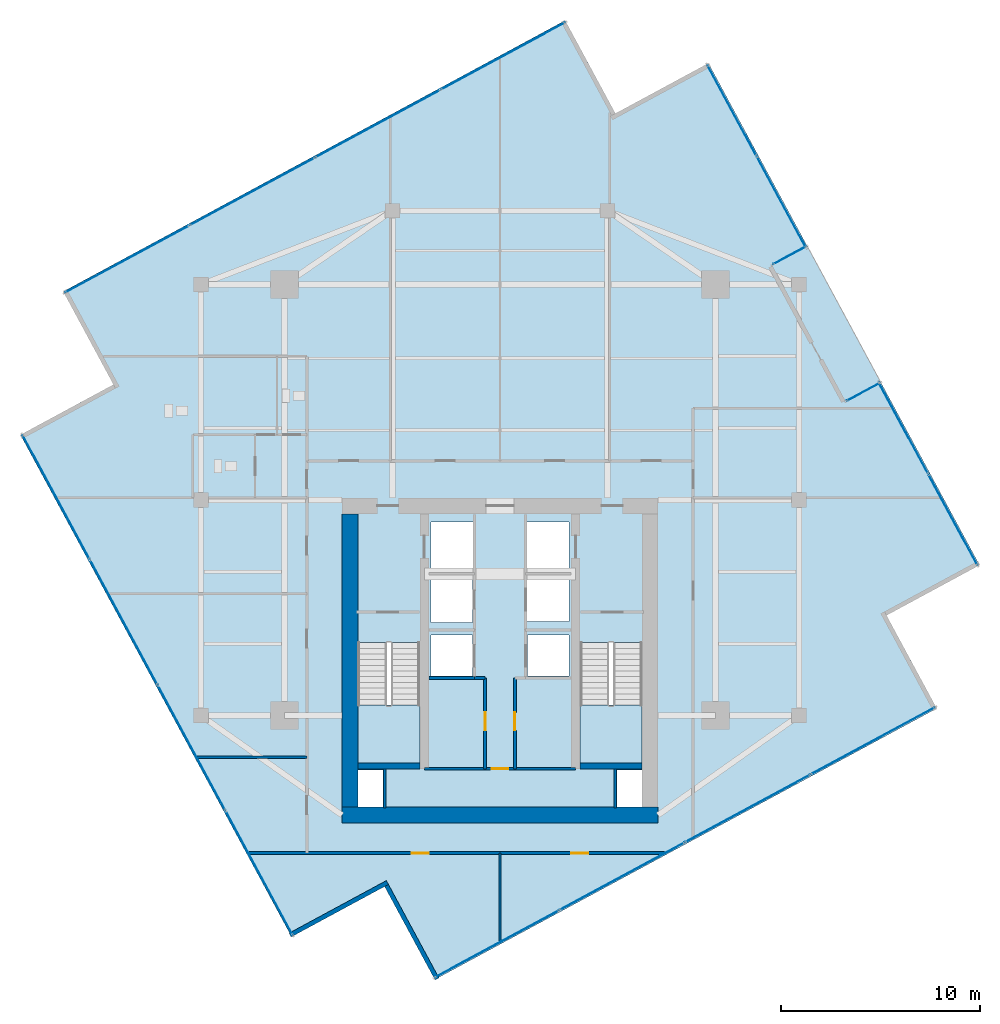
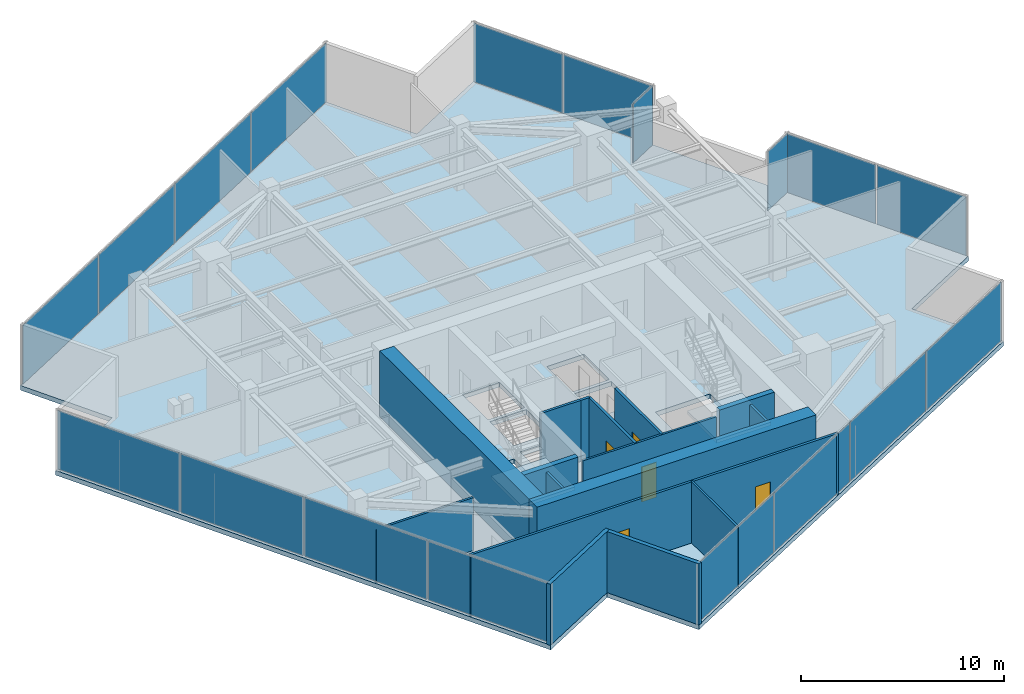
# One storey, part 18 of 22: 18 plates, 16 walls, 5 doors, 3 slabs, 5 openings, 9 elements without a shape of their own.
"""IFC4 building model written with IfcOpenShell, lengths in metres."""

import ifcopenshell
import ifcopenshell.guid

model = None  # the IFC model being written
_history = None  # IfcOwnerHistory: only IFC2X3 demands one
_inside = {}  # id of a spatial element -> (the spatial element, [elements in it])
_under = {}  # id of a project, library or spatial element -> (it, [spatial elements below it])
_declared = {}  # id of a project -> (the project, [libraries it declares])
_typed = {}  # id of a type object -> (the type object, [elements of that type])
_made_of = {}  # id of a material, layer set ... -> (it, [elements and type objects made of it])


def new_model(schema):
    """Start an empty IFC model of exactly this schema.

    Asked for "IFC4X3", IfcOpenShell would pick the latest addendum, in which some entities
    have other attributes; the version numbers below select the first issue.
    IFC2X3 requires an IfcOwnerHistory on every rooted entity: one is made here for all.
    """
    global model, _history
    if schema == "IFC4X3":
        model = ifcopenshell.file(schema_version=(4, 3, 0, 0))
    else:
        model = ifcopenshell.file(schema=schema)
    _inside.clear()
    _under.clear()
    _declared.clear()
    _typed.clear()
    _made_of.clear()
    _history = None
    if model.schema == "IFC2X3":
        org = make("IfcOrganization", Name="unknown")
        user = make(
            "IfcPersonAndOrganization",
            ThePerson=make("IfcPerson", FamilyName="unknown"),
            TheOrganization=org,
        )
        app = make(
            "IfcApplication",
            ApplicationDeveloper=org,
            Version="unknown",
            ApplicationFullName="unknown",
            ApplicationIdentifier="unknown",
        )
        _history = make(
            "IfcOwnerHistory",
            OwningUser=user,
            OwningApplication=app,
            ChangeAction="ADDED",
            CreationDate=0,
        )
    return model


def make(cls, **values):
    """One entity of the class cls with the attributes given. An attribute that is None is left unset."""
    return model.create_entity(
        cls, **{name: value for name, value in values.items() if value is not None}
    )


def rooted(cls, **values):
    """An entity with a GlobalId (a new one), such as an element, a storey or a relation."""
    return make(cls, GlobalId=ifcopenshell.guid.new(), OwnerHistory=_history, **values)


def si_unit(unit_type, name, prefix=None):
    """IfcSIUnit, for example si_unit("LENGTHUNIT", "METRE", prefix="MILLI")."""
    return make("IfcSIUnit", UnitType=unit_type, Prefix=prefix, Name=name)


def assignment(units):
    """IfcUnitAssignment: the units of a project."""
    return None if units is None else make("IfcUnitAssignment", Units=units)


def point(xyz):
    """IfcCartesianPoint."""
    return None if xyz is None else make("IfcCartesianPoint", Coordinates=xyz)


def direction(xyz):
    """IfcDirection."""
    return None if xyz is None else make("IfcDirection", DirectionRatios=xyz)


def frame(location, z_axis=None, x_axis=None):
    """IfcAxis2Placement3D, a coordinate frame: its origin and axes. An axis left out is left unset."""
    return make(
        "IfcAxis2Placement3D",
        Location=point(location),
        Axis=direction(z_axis),
        RefDirection=direction(x_axis),
    )


def frame_2d(location, x_axis=None):
    """IfcAxis2Placement2D, a coordinate frame in the plane: its origin and x axis."""
    return make(
        "IfcAxis2Placement2D", Location=point(location), RefDirection=direction(x_axis)
    )


def origin():
    """The frame at (0, 0, 0) with its axes left unset."""
    return frame((0.0, 0.0, 0.0))


def origin_2d():
    """The frame at (0, 0) in the plane with its x axis left unset."""
    return frame_2d((0.0, 0.0))


def place(relative_to, where):
    """IfcLocalPlacement: puts the frame where relative to a parent placement (None: the world)."""
    return make(
        "IfcLocalPlacement", PlacementRelTo=relative_to, RelativePlacement=where
    )


def context(
    kind, dimensions, precision=None, world=None, true_north=None, identifier=None
):
    """IfcGeometricRepresentationContext, for example the 3D "Model" context."""
    return make(
        "IfcGeometricRepresentationContext",
        ContextIdentifier=identifier,
        ContextType=kind,
        CoordinateSpaceDimension=dimensions,
        Precision=precision,
        WorldCoordinateSystem=world,
        TrueNorth=true_north,
    )


def subcontext(parent, identifier, kind, view, scale=None):
    """IfcGeometricRepresentationSubContext, for example "Body" below "Model"."""
    return make(
        "IfcGeometricRepresentationSubContext",
        ContextIdentifier=identifier,
        ContextType=kind,
        ParentContext=parent,
        TargetScale=scale,
        TargetView=view,
    )


def project(units=None, contexts=None):
    """IfcProject with its units and contexts."""
    return rooted(
        "IfcProject",
        Name="project",
        RepresentationContexts=contexts,
        UnitsInContext=assignment(units),
    )


def spatial(cls, under=None, at=None, **own):
    """A site, building, storey or space (cls), placed at a placement, below another one or the project."""
    s = rooted(cls, ObjectPlacement=at, **own)
    if under is not None:
        _under.setdefault(under.id(), (under, []))[1].append(s)
    return s


def polyline(points):
    """IfcPolyline through the points."""
    return make("IfcPolyline", Points=[point(p) for p in points])


def profile(cls, at=None, kind="AREA", **sizes):
    """A parametric profile (cls). Its sizes go by their IFC names, for example OverallWidth=200.0."""
    return make(cls, ProfileType=kind, Position=at, **sizes)


def rectangle(**sizes):
    """IfcRectangleProfileDef."""
    return profile("IfcRectangleProfileDef", **sizes)


def outline(outer, holes=None, kind="AREA"):
    """IfcArbitraryClosedProfileDef: a profile drawn as a closed curve; with holes, ...WithVoids."""
    if holes is None:
        return make("IfcArbitraryClosedProfileDef", ProfileType=kind, OuterCurve=outer)
    return make(
        "IfcArbitraryProfileDefWithVoids",
        ProfileType=kind,
        OuterCurve=outer,
        InnerCurves=holes,
    )


def extrude(swept, where, along, depth):
    """IfcExtrudedAreaSolid: the profile swept, set in the frame where, extruded along a direction by depth."""
    return make(
        "IfcExtrudedAreaSolid",
        SweptArea=swept,
        Position=where,
        ExtrudedDirection=direction(along),
        Depth=depth,
    )


def shape(context_of_items, identifier, shape_type, items):
    """IfcShapeRepresentation: the items that make up one representation, for example the "Body"."""
    return make(
        "IfcShapeRepresentation",
        ContextOfItems=context_of_items,
        RepresentationIdentifier=identifier,
        RepresentationType=shape_type,
        Items=items,
    )


def source(mapping_origin, context_of_items, identifier, shape_type, items):
    """IfcRepresentationMap: a shape defined once, which mapped items show again and again."""
    return make(
        "IfcRepresentationMap",
        MappingOrigin=mapping_origin,
        MappedRepresentation=shape(context_of_items, identifier, shape_type, items),
    )


def transform(
    local_origin,
    x_axis=None,
    y_axis=None,
    z_axis=None,
    scale=None,
    scale2=None,
    scale3=None,
    uniform=True,
):
    """IfcCartesianTransformationOperator3D, or its non-uniform kind. x_axis, y_axis, z_axis: its Axis1, 2, 3."""
    if uniform:
        return make(
            "IfcCartesianTransformationOperator3D",
            Axis1=direction(x_axis),
            Axis2=direction(y_axis),
            LocalOrigin=point(local_origin),
            Scale=scale,
            Axis3=direction(z_axis),
        )
    return make(
        "IfcCartesianTransformationOperator3DnonUniform",
        Axis1=direction(x_axis),
        Axis2=direction(y_axis),
        LocalOrigin=point(local_origin),
        Scale=scale,
        Axis3=direction(z_axis),
        Scale2=scale2,
        Scale3=scale3,
    )


def mapped(mapping_source, mapping_target):
    """IfcMappedItem: shows the shape of a source again, moved by a transform."""
    return make(
        "IfcMappedItem", MappingSource=mapping_source, MappingTarget=mapping_target
    )


def material(Name=None, Category=None):
    """IfcMaterial."""
    return make("IfcMaterial", Name=Name, Category=Category)


def layer(
    of_material, thickness, ventilated=None, Name=None, Category=None, Priority=None
):
    """IfcMaterialLayer: one layer of a wall or slab, of a material (None: an air gap)."""
    return make(
        "IfcMaterialLayer",
        Material=of_material,
        LayerThickness=thickness,
        IsVentilated=ventilated,
        Name=Name,
        Category=Category,
        Priority=Priority,
    )


def layer_set(layers, Name=None):
    """IfcMaterialLayerSet."""
    return make("IfcMaterialLayerSet", MaterialLayers=layers, LayerSetName=Name)


def made_of(thing, what):
    """Note that an element or type object is made of a material, layer set ...; save() writes the relation."""
    if what is not None:
        _made_of.setdefault(what.id(), (what, []))[1].append(thing)
    return thing


def type_object(cls, material=None, **own):
    """A type object (cls), such as IfcWallType, which elements share."""
    return made_of(rooted(cls, **own), material)


def type_shapes(of_type, sources):
    """Give a type object the sources (RepresentationMaps) that its elements show as mapped items."""
    of_type.RepresentationMaps = sources


def element(
    cls,
    number,
    at=None,
    inside=None,
    cuts=None,
    type_object=None,
    material=None,
    context=None,
    identifier="Body",
    shape_type=None,
    held_by="IfcProductDefinitionShape",
    body=None,
    shapes=None,
    **own,
):
    """One element of the class cls, such as IfcWall. Its Tag is "e" and its number.

    at: its placement. inside: the storey or other place that contains it. cuts: it is an
    opening in that element (IfcRelVoidsElement). A single representation is given by context,
    identifier, shape_type and body (its items); several are given by shapes. held_by: the class
    of the entity that holds the representations. save() writes the other relations.
    """
    e = rooted(cls, Tag="e%d" % number, ObjectPlacement=at, **own)
    if body is not None:
        shapes = [shape(context, identifier, shape_type, body)]
    if shapes is not None:
        e.Representation = make(held_by, Representations=shapes)
    if inside is not None:
        _inside.setdefault(inside.id(), (inside, []))[1].append(e)
    if cuts is not None:
        rooted(
            "IfcRelVoidsElement", RelatingBuildingElement=cuts, RelatedOpeningElement=e
        )
    if type_object is not None:
        _typed.setdefault(type_object.id(), (type_object, []))[1].append(e)
    return made_of(e, material)


def fill(opening, filler):
    """IfcRelFillsElement: the door or window that sits in an opening."""
    return rooted(
        "IfcRelFillsElement",
        RelatingOpeningElement=opening,
        RelatedBuildingElement=filler,
    )


def aggregate(whole, parts):
    """IfcRelAggregates: a whole, such as a stair, and the parts it consists of."""
    return rooted("IfcRelAggregates", RelatingObject=whole, RelatedObjects=parts)


def save(model, path):
    """Write the relations noted so far, then the file.

    IfcRelAggregates (storeys below a building ...), IfcRelContainedInSpatialStructure (elements
    in a storey), IfcRelDefinesByType, IfcRelAssociatesMaterial and IfcRelDeclares: one each for
    every whole, place, type object, material and project.
    """
    for whole, parts in _under.values():
        aggregate(whole, parts)
    for where, things in _inside.values():
        rooted(
            "IfcRelContainedInSpatialStructure",
            RelatedElements=things,
            RelatingStructure=where,
        )
    for kind, things in _typed.values():
        rooted("IfcRelDefinesByType", RelatedObjects=things, RelatingType=kind)
    for what, things in _made_of.values():
        rooted("IfcRelAssociatesMaterial", RelatedObjects=things, RelatingMaterial=what)
    for by, libraries in _declared.values():
        rooted("IfcRelDeclares", RelatingContext=by, RelatedDefinitions=libraries)
    model.write(path)


model = new_model("IFC4")

# Units and contexts
model_context = context("Model", 3, precision=1e-05, world=origin(), true_north=direction((0.0, 1.0)))
body_context = subcontext(model_context, "Body", "Model", "MODEL_VIEW")
ifc_project = project(units=[si_unit("LENGTHUNIT", "METRE"), si_unit("AREAUNIT", "SQUARE_METRE"), si_unit("VOLUMEUNIT", "CUBIC_METRE"), si_unit("PLANEANGLEUNIT", "RADIAN"), si_unit("MASSUNIT", "GRAM", prefix="KILO")], contexts=[model_context])

# Site, building, storey
site_placement = place(None, origin())
site = spatial("IfcSite", under=ifc_project, at=site_placement, CompositionType="ELEMENT")
building_placement = place(site_placement, origin())
building = spatial("IfcBuilding", under=site, at=building_placement, Name="Krantzveldt Concourse Tower", CompositionType="ELEMENT")
storey_placement = place(building_placement, frame((0.0, 0.0, 306.89990234375)))
storey = spatial("IfcBuildingStorey", under=building, at=storey_placement, Name="L75", CompositionType="ELEMENT", Elevation=306.89990234375)

# Stair, slab
ifc_material_1 = material(Name="Precast concrete C40/50", Category="concrete")
stair_type = type_object("IfcStairType", Name="STR-CORE-DOGLEG", PredefinedType="HALF_TURN_STAIR", material=ifc_material_1)
stair_1_placement = place(storey_placement, origin())
stair_1 = element("IfcStair", 1, at=stair_1_placement, inside=storey, type_object=stair_type, Name="L75 Protected Escape Stair ST-1", PredefinedType="HALF_TURN_STAIR")
ifc_layer_1 = layer(ifc_material_1, 0.199951171875, Name="Precast concrete C40/50", Category="concrete")
ifc_layer_set_1 = layer_set([ifc_layer_1], Name="Precast concrete C40/50 (SL-LANDING-200)")
slab_type_1 = type_object("IfcSlabType", Name="SL-LANDING-200", PredefinedType="LANDING", material=ifc_layer_set_1)
slab_1_placement = place(storey_placement, frame((0.0, 0.0, 1.775146484375)))
slab_1 = element("IfcSlab", 2, at=slab_1_placement, type_object=slab_type_1, Name="ST-1 landing 1", PredefinedType="LANDING", context=body_context, shape_type="SweptSolid", body=[
    extrude(outline(polyline([(28.8798828125, 16.4150390625), (28.8798828125, 13.52001953125), (31.97998046875, 13.52001953125), (31.97998046875, 16.4150390625), (28.8798828125, 16.4150390625)])), origin(), (0.0, 0.0, 1.0), 0.199951171875),
])
aggregate(stair_1, [slab_1])

stair_2_placement = place(storey_placement, origin())
stair_2 = element("IfcStair", 3, at=stair_2_placement, inside=storey, type_object=stair_type, Name="L75 Protected Escape Stair ST-2", PredefinedType="HALF_TURN_STAIR")
slab_2_placement = place(storey_placement, frame((0.0, 0.0, 1.775146484375)))
slab_2 = element("IfcSlab", 4, at=slab_2_placement, type_object=slab_type_1, Name="ST-2 landing 1", PredefinedType="LANDING", context=body_context, shape_type="SweptSolid", body=[
    extrude(outline(polyline([(40.02001953125, 16.4150390625), (40.02001953125, 13.52001953125), (43.1201171875, 13.52001953125), (43.1201171875, 16.4150390625), (40.02001953125, 16.4150390625)])), origin(), (0.0, 0.0, 1.0), 0.199951171875),
])
aggregate(stair_2, [slab_2])

# Slab
ifc_material_2 = material(Name="Concrete C40/50", Category="concrete")
ifc_layer_2 = layer(ifc_material_2, 0.280029296875, Name="Concrete C40/50", Category="concrete")
ifc_layer_set_2 = layer_set([ifc_layer_2], Name="Concrete C40/50 (SL-SL-TER280)")
slab_type_2 = type_object("IfcSlabType", Name="SL-SL-TER280", PredefinedType="FLOOR", material=ifc_layer_set_2)
slab_3_placement = place(storey_placement, frame((0.0, 0.0, -0.27978515625)))
element("IfcSlab", 5, at=slab_3_placement, inside=storey, type_object=slab_type_2, Name="SL-L75-MAIN", PredefinedType="FLOOR", context=body_context, shape_type="SweptSolid", body=[
    extrude(outline(polyline([(41.785888671875, 46.077880859375), (39.267333984375, 50.7412109375), (14.103271484375, 37.149169921875), (16.6220703125, 32.486083984375), (11.958984375, 29.96728515625), (25.55078125, 4.803466796875), (30.214111328125, 7.322021484375), (32.732666015625, 2.658935546875), (57.896728515625, 16.250732421875), (55.3779296875, 20.9140625), (60.041015625, 23.432861328125), (46.44921875, 48.5966796875), (41.785888671875, 46.077880859375)]), holes=[polyline([(28.8798828125, 19.547607421875), (28.8798828125, 13.52001953125), (31.97998046875, 13.52001953125), (31.97998046875, 19.547607421875), (28.8798828125, 19.547607421875)]), polyline([(40.02001953125, 19.547607421875), (40.02001953125, 13.52001953125), (43.1201171875, 13.52001953125), (43.1201171875, 19.547607421875), (40.02001953125, 19.547607421875)]), polyline([(32.550048828125, 23.10009765625), (34.64990234375, 23.10009765625), (34.64990234375, 25.60009765625), (32.550048828125, 25.60009765625), (32.550048828125, 23.10009765625)]), polyline([(37.35009765625, 23.10009765625), (39.449951171875, 23.10009765625), (39.449951171875, 25.60009765625), (37.35009765625, 25.60009765625), (37.35009765625, 23.10009765625)]), polyline([(37.35009765625, 20.60009765625), (39.449951171875, 20.60009765625), (39.449951171875, 22.89990234375), (37.35009765625, 22.89990234375), (37.35009765625, 20.60009765625)]), polyline([(32.550048828125, 20.550048828125), (34.6201171875, 20.550048828125), (34.6201171875, 22.89990234375), (32.550048828125, 22.89990234375), (32.550048828125, 20.550048828125)]), polyline([(32.550048828125, 17.8798828125), (34.6201171875, 17.8798828125), (34.6201171875, 19.919921875), (32.550048828125, 19.919921875), (32.550048828125, 17.8798828125)]), polyline([(37.3798828125, 17.8798828125), (39.449951171875, 17.8798828125), (39.449951171875, 19.919921875), (37.3798828125, 19.919921875), (37.3798828125, 17.8798828125)]), polyline([(28.8798828125, 11.320068359375), (30.139892578125, 11.320068359375), (30.139892578125, 13.159912109375), (28.8798828125, 13.159912109375), (28.8798828125, 11.320068359375)]), polyline([(41.860107421875, 11.320068359375), (43.1201171875, 11.320068359375), (43.1201171875, 13.159912109375), (41.860107421875, 13.159912109375), (41.860107421875, 11.320068359375)])]), origin(), (0.0, 0.0, 1.0), 0.27978515625),
])

# Curtain wall, plate
ifc_material_3 = material(Name="Anodised aluminium 6063-T6", Category="aluminium")
curtain_wall_type_1 = type_object("IfcCurtainWallType", Name="CW6", PredefinedType="USERDEFINED", material=ifc_material_3)
curtain_wall_1_placement = place(storey_placement, origin())
curtain_wall_1 = element("IfcCurtainWall", 6, at=curtain_wall_1_placement, inside=storey, type_object=curtain_wall_type_1, Name="CW-L75-TR11", ObjectType="UNITISED CURTAIN WALL", PredefinedType="USERDEFINED")
ifc_material_4 = material(Name="Bronze-tinted laminated low-E IGU glass", Category="glass")
ifc_layer_3 = layer(ifc_material_4, 0.031982421875, Name="Bronze-tinted laminated low-E IGU glass", Category="glass")
ifc_layer_set_3 = layer_set([ifc_layer_3], Name="Bronze-tinted laminated low-E IGU glass (CW-GLZ-32)")
plate_type = type_object("IfcPlateType", Name="CW-GLZ-32", PredefinedType="CURTAIN_PANEL", material=ifc_layer_set_3)
shared_shape_1 = source(origin(), body_context, "Body", "SweptSolid", [
    extrude(rectangle(XDim=1.860107421875, YDim=0.031982421875, at=origin_2d()), origin(), (0.0, 0.0, 1.0), 3.530029296875),
])
plate_1_placement = place(storey_placement, frame((54.214111328125, 32.116943359375, 0.0703125), z_axis=(0.0, 0.0, 1.0), x_axis=(-0.879855933255, -0.475240504079, 0.0)))
plate_1 = element("IfcPlate", 7, at=plate_1_placement, type_object=plate_type, Name="CW-TERR panel 1.1", PredefinedType="CURTAIN_PANEL", context=body_context, shape_type="MappedRepresentation", body=[
    mapped(shared_shape_1, transform((0.0, 0.0, 0.0), x_axis=(1.0, 0.0, 0.0), y_axis=(0.0, 1.0, 0.0), z_axis=(0.0, 0.0, 1.0), scale=1.0)),
])
aggregate(curtain_wall_1, [plate_1])

curtain_wall_2_placement = place(storey_placement, origin())
curtain_wall_2 = element("IfcCurtainWall", 8, at=curtain_wall_2_placement, inside=storey, type_object=curtain_wall_type_1, Name="CW-L75-TR13", ObjectType="UNITISED CURTAIN WALL", PredefinedType="USERDEFINED")
plate_2_placement = place(storey_placement, frame((50.5166015625, 38.962158203125, 0.0703125), z_axis=(0.0, 0.0, 1.0), x_axis=(0.879855933255, 0.475240504079, 0.0)))
plate_2 = element("IfcPlate", 9, at=plate_2_placement, type_object=plate_type, Name="CW-TERR panel 1.1", PredefinedType="CURTAIN_PANEL", context=body_context, shape_type="MappedRepresentation", body=[
    mapped(shared_shape_1, transform((0.0, 0.0, 0.0), x_axis=(1.0, 0.0, 0.0), y_axis=(0.0, 1.0, 0.0), z_axis=(0.0, 0.0, 1.0), scale=1.0)),
])
aggregate(curtain_wall_2, [plate_2])

# Curtain wall, plates
curtain_wall_type_2 = type_object("IfcCurtainWallType", Name="CW4", PredefinedType="USERDEFINED", material=ifc_material_3)
curtain_wall_3_placement = place(storey_placement, origin())
curtain_wall_3 = element("IfcCurtainWall", 10, at=curtain_wall_3_placement, inside=storey, type_object=curtain_wall_type_2, Name="CW-L75-F01", ObjectType="UNITISED CURTAIN WALL", PredefinedType="USERDEFINED")
shared_shape_2 = source(origin(), body_context, "Body", "SweptSolid", [
    extrude(rectangle(XDim=7.044921875, YDim=0.031982421875, at=origin_2d()), origin(), (0.0, 0.0, 1.0), 3.530029296875),
])
plate_3_placement = place(storey_placement, frame((36.149169921875, 48.95458984375, 0.0703125), z_axis=(0.0, 0.0, 1.0), x_axis=(-0.87985605875, -0.475240271736, 0.0)))
plate_3 = element("IfcPlate", 11, at=plate_3_placement, type_object=plate_type, Name="CW-Z56 panel 1.1", PredefinedType="CURTAIN_PANEL", context=body_context, shape_type="MappedRepresentation", body=[
    mapped(shared_shape_2, transform((0.0, 0.0, 0.0), x_axis=(1.0, 0.0, 0.0), y_axis=(0.0, 1.0, 0.0), z_axis=(0.0, 0.0, 1.0), scale=1.0)),
])
plate_4_placement = place(storey_placement, frame((17.306884765625, 38.77734375, 0.0703125), z_axis=(0.0, 0.0, 1.0), x_axis=(-0.87985605875, -0.475240271736, 0.0)))
plate_4 = element("IfcPlate", 12, at=plate_4_placement, type_object=plate_type, Name="CW-Z56 panel 4.1", PredefinedType="CURTAIN_PANEL", context=body_context, shape_type="MappedRepresentation", body=[
    mapped(shared_shape_2, transform((0.0, 0.0, 0.0), x_axis=(1.0, 0.0, 0.0), y_axis=(0.0, 1.0, 0.0), z_axis=(0.0, 0.0, 1.0), scale=1.0)),
])

curtain_wall_4_placement = place(storey_placement, origin())
curtain_wall_4 = element("IfcCurtainWall", 13, at=curtain_wall_4_placement, inside=storey, type_object=curtain_wall_type_2, Name="CW-L75-F04", ObjectType="UNITISED CURTAIN WALL", PredefinedType="USERDEFINED")
plate_5_placement = place(storey_placement, frame((13.745361328125, 26.84912109375, 0.0703125), z_axis=(0.0, 0.0, 1.0), x_axis=(0.475240271736, -0.87985605875, 0.0)))
plate_5 = element("IfcPlate", 14, at=plate_5_placement, type_object=plate_type, Name="CW-Z56 panel 1.1", PredefinedType="CURTAIN_PANEL", context=body_context, shape_type="MappedRepresentation", body=[
    mapped(shared_shape_2, transform((0.0, 0.0, 0.0), x_axis=(1.0, 0.0, 0.0), y_axis=(0.0, 1.0, 0.0), z_axis=(0.0, 0.0, 1.0), scale=1.0)),
])
plate_6_placement = place(storey_placement, frame((23.922607421875, 8.007080078125, 0.0703125), z_axis=(0.0, 0.0, 1.0), x_axis=(0.475240271736, -0.87985605875, 0.0)))
plate_6 = element("IfcPlate", 15, at=plate_6_placement, type_object=plate_type, Name="CW-Z56 panel 4.1", PredefinedType="CURTAIN_PANEL", context=body_context, shape_type="MappedRepresentation", body=[
    mapped(shared_shape_2, transform((0.0, 0.0, 0.0), x_axis=(1.0, 0.0, 0.0), y_axis=(0.0, 1.0, 0.0), z_axis=(0.0, 0.0, 1.0), scale=1.0)),
])

curtain_wall_5_placement = place(storey_placement, origin())
curtain_wall_5 = element("IfcCurtainWall", 16, at=curtain_wall_5_placement, inside=storey, type_object=curtain_wall_type_2, Name="CW-L75-F07", ObjectType="UNITISED CURTAIN WALL", PredefinedType="USERDEFINED")
plate_7_placement = place(storey_placement, frame((35.850830078125, 4.4453125, 0.0703125), z_axis=(0.0, 0.0, 1.0), x_axis=(0.87985605875, 0.475240271736, 0.0)))
plate_7 = element("IfcPlate", 17, at=plate_7_placement, type_object=plate_type, Name="CW-Z56 panel 1.1", PredefinedType="CURTAIN_PANEL", context=body_context, shape_type="MappedRepresentation", body=[
    mapped(shared_shape_2, transform((0.0, 0.0, 0.0), x_axis=(1.0, 0.0, 0.0), y_axis=(0.0, 1.0, 0.0), z_axis=(0.0, 0.0, 1.0), scale=1.0)),
])
plate_8_placement = place(storey_placement, frame((54.693115234375, 14.62255859375, 0.0703125), z_axis=(0.0, 0.0, 1.0), x_axis=(0.87985605875, 0.475240271736, 0.0)))
plate_8 = element("IfcPlate", 18, at=plate_8_placement, type_object=plate_type, Name="CW-Z56 panel 4.1", PredefinedType="CURTAIN_PANEL", context=body_context, shape_type="MappedRepresentation", body=[
    mapped(shared_shape_2, transform((0.0, 0.0, 0.0), x_axis=(1.0, 0.0, 0.0), y_axis=(0.0, 1.0, 0.0), z_axis=(0.0, 0.0, 1.0), scale=1.0)),
])

# Plate
shared_shape_3 = source(origin(), body_context, "Body", "SweptSolid", [
    extrude(rectangle(XDim=7.080078125, YDim=0.031982421875, at=origin_2d()), origin(), (0.0, 0.0, 1.0), 3.530029296875),
])
plate_9_placement = place(storey_placement, frame((29.87353515625, 45.56494140625, 0.0703125), z_axis=(0.0, 0.0, 1.0), x_axis=(-0.87985605875, -0.475240271736, 0.0)))
plate_9 = element("IfcPlate", 19, at=plate_9_placement, type_object=plate_type, Name="CW-Z56 panel 2.1", PredefinedType="CURTAIN_PANEL", context=body_context, shape_type="MappedRepresentation", body=[
    mapped(shared_shape_3, transform((0.0, 0.0, 0.0), x_axis=(1.0, 0.0, 0.0), y_axis=(0.0, 1.0, 0.0), z_axis=(0.0, 0.0, 1.0), scale=1.0)),
])

plate_10_placement = place(storey_placement, frame((23.58251953125, 42.1669921875, 0.0703125), z_axis=(0.0, 0.0, 1.0), x_axis=(-0.87985605875, -0.475240271736, 0.0)))
plate_10 = element("IfcPlate", 20, at=plate_10_placement, type_object=plate_type, Name="CW-Z56 panel 3.1", PredefinedType="CURTAIN_PANEL", context=body_context, shape_type="MappedRepresentation", body=[
    mapped(shared_shape_3, transform((0.0, 0.0, 0.0), x_axis=(1.0, 0.0, 0.0), y_axis=(0.0, 1.0, 0.0), z_axis=(0.0, 0.0, 1.0), scale=1.0)),
])

aggregate(curtain_wall_3, [plate_3, plate_9, plate_10, plate_4])

plate_11_placement = place(storey_placement, frame((17.135009765625, 20.573486328125, 0.0703125), z_axis=(0.0, 0.0, 1.0), x_axis=(0.475240271736, -0.87985605875, 0.0)))
plate_11 = element("IfcPlate", 21, at=plate_11_placement, type_object=plate_type, Name="CW-Z56 panel 2.1", PredefinedType="CURTAIN_PANEL", context=body_context, shape_type="MappedRepresentation", body=[
    mapped(shared_shape_3, transform((0.0, 0.0, 0.0), x_axis=(1.0, 0.0, 0.0), y_axis=(0.0, 1.0, 0.0), z_axis=(0.0, 0.0, 1.0), scale=1.0)),
])

plate_12_placement = place(storey_placement, frame((20.532958984375, 14.282470703125, 0.0703125), z_axis=(0.0, 0.0, 1.0), x_axis=(0.475240271736, -0.87985605875, 0.0)))
plate_12 = element("IfcPlate", 22, at=plate_12_placement, type_object=plate_type, Name="CW-Z56 panel 3.1", PredefinedType="CURTAIN_PANEL", context=body_context, shape_type="MappedRepresentation", body=[
    mapped(shared_shape_3, transform((0.0, 0.0, 0.0), x_axis=(1.0, 0.0, 0.0), y_axis=(0.0, 1.0, 0.0), z_axis=(0.0, 0.0, 1.0), scale=1.0)),
])

aggregate(curtain_wall_4, [plate_5, plate_11, plate_12, plate_6])

plate_13_placement = place(storey_placement, frame((42.12646484375, 7.8349609375, 0.0703125), z_axis=(0.0, 0.0, 1.0), x_axis=(0.87985605875, 0.475240271736, 0.0)))
plate_13 = element("IfcPlate", 23, at=plate_13_placement, type_object=plate_type, Name="CW-Z56 panel 2.1", PredefinedType="CURTAIN_PANEL", context=body_context, shape_type="MappedRepresentation", body=[
    mapped(shared_shape_3, transform((0.0, 0.0, 0.0), x_axis=(1.0, 0.0, 0.0), y_axis=(0.0, 1.0, 0.0), z_axis=(0.0, 0.0, 1.0), scale=1.0)),
])

plate_14_placement = place(storey_placement, frame((48.41748046875, 11.23291015625, 0.0703125), z_axis=(0.0, 0.0, 1.0), x_axis=(0.87985605875, 0.475240271736, 0.0)))
plate_14 = element("IfcPlate", 24, at=plate_14_placement, type_object=plate_type, Name="CW-Z56 panel 3.1", PredefinedType="CURTAIN_PANEL", context=body_context, shape_type="MappedRepresentation", body=[
    mapped(shared_shape_3, transform((0.0, 0.0, 0.0), x_axis=(1.0, 0.0, 0.0), y_axis=(0.0, 1.0, 0.0), z_axis=(0.0, 0.0, 1.0), scale=1.0)),
])

aggregate(curtain_wall_5, [plate_7, plate_13, plate_14, plate_8])

# Curtain wall, plates
curtain_wall_6_placement = place(storey_placement, origin())
curtain_wall_6 = element("IfcCurtainWall", 25, at=curtain_wall_6_placement, inside=storey, type_object=curtain_wall_type_2, Name="CW-L75-F10", ObjectType="UNITISED CURTAIN WALL", PredefinedType="USERDEFINED")
shared_shape_4 = source(origin(), body_context, "Body", "SweptSolid", [
    extrude(rectangle(XDim=5.14501953125, YDim=0.031982421875, at=origin_2d()), origin(), (0.0, 0.0, 1.0), 3.530029296875),
])
type_shapes(plate_type, [shared_shape_1, shared_shape_2, shared_shape_3, shared_shape_4])
plate_15_placement = place(storey_placement, frame((58.7060546875, 25.715087890625, 0.0703125), z_axis=(0.0, 0.0, 1.0), x_axis=(-0.475240006286, 0.879856202129, 0.0)))
plate_15 = element("IfcPlate", 26, at=plate_15_placement, type_object=plate_type, Name="CW-Z56 panel 1.1", PredefinedType="CURTAIN_PANEL", context=body_context, shape_type="MappedRepresentation", body=[
    mapped(shared_shape_4, transform((0.0, 0.0, 0.0), x_axis=(1.0, 0.0, 0.0), y_axis=(0.0, 1.0, 0.0), z_axis=(0.0, 0.0, 1.0), scale=1.0)),
])
plate_16_placement = place(storey_placement, frame((56.227783203125, 30.303466796875, 0.0703125), z_axis=(0.0, 0.0, 1.0), x_axis=(-0.475240006286, 0.879856202129, 0.0)))
plate_16 = element("IfcPlate", 27, at=plate_16_placement, type_object=plate_type, Name="CW-Z56 panel 2.1", PredefinedType="CURTAIN_PANEL", context=body_context, shape_type="MappedRepresentation", body=[
    mapped(shared_shape_4, transform((0.0, 0.0, 0.0), x_axis=(1.0, 0.0, 0.0), y_axis=(0.0, 1.0, 0.0), z_axis=(0.0, 0.0, 1.0), scale=1.0)),
])
aggregate(curtain_wall_6, [plate_15, plate_16])

curtain_wall_7_placement = place(storey_placement, origin())
curtain_wall_7 = element("IfcCurtainWall", 28, at=curtain_wall_7_placement, inside=storey, type_object=curtain_wall_type_2, Name="CW-L75-F14", ObjectType="UNITISED CURTAIN WALL", PredefinedType="USERDEFINED")
plate_17_placement = place(storey_placement, frame((50.104248046875, 41.640380859375, 0.0703125), z_axis=(0.0, 0.0, 1.0), x_axis=(-0.475240006286, 0.879856202129, 0.0)))
plate_17 = element("IfcPlate", 29, at=plate_17_placement, type_object=plate_type, Name="CW-Z56 panel 1.1", PredefinedType="CURTAIN_PANEL", context=body_context, shape_type="MappedRepresentation", body=[
    mapped(shared_shape_4, transform((0.0, 0.0, 0.0), x_axis=(1.0, 0.0, 0.0), y_axis=(0.0, 1.0, 0.0), z_axis=(0.0, 0.0, 1.0), scale=1.0)),
])
plate_18_placement = place(storey_placement, frame((47.6259765625, 46.228759765625, 0.0703125), z_axis=(0.0, 0.0, 1.0), x_axis=(-0.475240006286, 0.879856202129, 0.0)))
plate_18 = element("IfcPlate", 30, at=plate_18_placement, type_object=plate_type, Name="CW-Z56 panel 2.1", PredefinedType="CURTAIN_PANEL", context=body_context, shape_type="MappedRepresentation", body=[
    mapped(shared_shape_4, transform((0.0, 0.0, 0.0), x_axis=(1.0, 0.0, 0.0), y_axis=(0.0, 1.0, 0.0), z_axis=(0.0, 0.0, 1.0), scale=1.0)),
])
aggregate(curtain_wall_7, [plate_17, plate_18])

# Walls
ifc_layer_4 = layer(ifc_material_3, 0.219970703125, Name="Anodised aluminium 6063-T6", Category="aluminium")
ifc_layer_set_4 = layer_set([ifc_layer_4], Name="Anodised aluminium 6063-T6 (WL-EXT-NOTCH220)")
wall_type_1 = type_object("IfcWallType", Name="WL-EXT-NOTCH220", PredefinedType="ELEMENTEDWALL", material=ifc_layer_set_4)
wall_1_placement = place(storey_placement, frame((25.4765625, 4.88818359375, 0.0), z_axis=(0.0, 0.0, 1.0), x_axis=(0.879846852796, 0.475257315172, 0.0)))
element("IfcWall", 31, at=wall_1_placement, inside=storey, type_object=wall_type_1, Name="EW-L75-NCH05", PredefinedType="ELEMENTEDWALL", context=body_context, shape_type="SweptSolid", body=[
    extrude(rectangle(XDim=5.544921875, YDim=0.219970703125, at=frame_2d((2.7724609375, 0.0))), origin(), (0.0, 0.0, 1.0), 3.670166015625),
])
wall_2_placement = place(storey_placement, frame((30.310791015625, 7.37451171875, 0.0), z_axis=(0.0, 0.0, 1.0), x_axis=(0.475250431035, -0.879850571291, 0.0)))
element("IfcWall", 32, at=wall_2_placement, inside=storey, type_object=wall_type_1, Name="EW-L75-NCH06", PredefinedType="ELEMENTEDWALL", context=body_context, shape_type="SweptSolid", body=[
    extrude(rectangle(XDim=5.3251953125, YDim=0.219970703125, at=frame_2d((2.66259765625, 0.0))), origin(), (0.0, 0.0, 1.0), 3.670166015625),
])

# Wall, opening, door
ifc_material_5 = material(Name="Fire-rated gypsum plasterboard on steel stud", Category="steel")
ifc_layer_5 = layer(ifc_material_5, 0.1201171875, Name="Fire-rated gypsum plasterboard on steel stud", Category="steel")
ifc_layer_set_5 = layer_set([ifc_layer_5], Name="Fire-rated gypsum plasterboard on steel stud (WL-PART-120)")
wall_type_2 = type_object("IfcWallType", Name="WL-PART-120", PredefinedType="PARTITIONING", material=ifc_layer_set_5)
wall_3_placement = place(storey_placement, frame((32.2099609375, 13.219970703125, 0.0), z_axis=(0.0, 0.0, 1.0), x_axis=(1.0, 0.0, 0.0)))
wall_3 = element("IfcWall", 33, at=wall_3_placement, inside=storey, type_object=wall_type_2, Name="WP-L75-CS2H", PredefinedType="PARTITIONING", context=body_context, shape_type="SweptSolid", body=[
    extrude(rectangle(XDim=7.580078125, YDim=0.1201171875, at=frame_2d((3.7900390625, 0.0))), origin(), (0.0, 0.0, 1.0), 3.670166015625),
])
opening_1_placement = place(wall_3_placement, frame((3.364990234375, 0.0, 0.0)))
opening_1 = element("IfcOpeningElement", 34, at=opening_1_placement, cuts=wall_3, Name="Opening D-IN085", PredefinedType="OPENING", context=body_context, shape_type="SweptSolid", body=[
    extrude(rectangle(XDim=0.85009765625, YDim=2.10009765625, at=frame_2d((0.425048828125, 1.050048828125))), frame((0.0, 0.070068359375, 0.0), z_axis=(0.0, -1.0, 0.0), x_axis=(1.0, 0.0, 0.0)), (0.0, 0.0, 1.0), 0.14013671875),
])
ifc_material_6 = material(Name="Hardwood timber", Category="wood")
door_type_1 = type_object("IfcDoorType", Name="DR-INT-850", OperationType="SINGLE_SWING_LEFT", PredefinedType="DOOR", material=ifc_material_6)
door_1_placement = place(opening_1_placement, origin())
door_1 = element("IfcDoor", 35, at=door_1_placement, inside=storey, type_object=door_type_1, Name="DR-L75-CSC1", OperationType="SINGLE_SWING_RIGHT", OverallHeight=2.10009765625, OverallWidth=0.85009765625, PredefinedType="DOOR", context=body_context, shape_type="SweptSolid", body=[
    extrude(rectangle(XDim=0.85009765625, YDim=2.10009765625, at=frame_2d((0.425048828125, 1.050048828125))), frame((0.0, 0.02490234375, 0.0), z_axis=(0.0, -1.0, 0.0), x_axis=(1.0, 0.0, 0.0)), (0.0, 0.0, 1.0), 0.050048828125),
])
fill(opening_1, door_1)

# Walls
wall_4_placement = place(storey_placement, frame((20.793701171875, 13.800048828125, 0.0), z_axis=(0.0, 0.0, 1.0), x_axis=(1.0, 0.0, 0.0)))
element("IfcWall", 36, at=wall_4_placement, inside=storey, type_object=wall_type_2, Name="WP-L75-WD1", PredefinedType="PARTITIONING", context=body_context, shape_type="SweptSolid", body=[
    extrude(rectangle(XDim=5.5263671875, YDim=0.1201171875, at=frame_2d((2.76318359375, 0.0))), origin(), (0.0, 0.0, 1.0), 3.18017578125),
])
wall_5_placement = place(storey_placement, frame((36.0, 4.52587890625, 0.0), z_axis=(0.0, 0.0, 1.0), x_axis=(0.0, 1.0, 0.0)))
element("IfcWall", 37, at=wall_5_placement, inside=storey, type_object=wall_type_2, Name="WP-L75-SSMD", PredefinedType="PARTITIONING", context=body_context, shape_type="SweptSolid", body=[
    extrude(rectangle(XDim=4.47412109375, YDim=0.1201171875, at=frame_2d((2.237060546875, 0.0))), origin(), (0.0, 0.0, 1.0), 3.670166015625),
])

# Wall, openings, doors
ifc_layer_6 = layer(ifc_material_5, 0.139892578125, Name="Fire-rated gypsum plasterboard on steel stud", Category="steel")
ifc_layer_set_6 = layer_set([ifc_layer_6], Name="Fire-rated gypsum plasterboard on steel stud (WL-PART-140)")
wall_type_3 = type_object("IfcWallType", Name="WL-PART-140", PredefinedType="PARTITIONING", material=ifc_layer_set_6)
wall_6_placement = place(storey_placement, frame((23.38623046875, 9.0, 0.0), z_axis=(0.0, 0.0, 1.0), x_axis=(1.0, 0.0, 0.0)))
wall_6 = element("IfcWall", 38, at=wall_6_placement, inside=storey, type_object=wall_type_3, Name="WP-L75-CSBOT", PredefinedType="PARTITIONING", context=body_context, shape_type="SweptSolid", body=[
    extrude(rectangle(XDim=20.89697265625, YDim=0.139892578125, at=frame_2d((10.448486328125, 0.0))), origin(), (0.0, 0.0, 1.0), 3.670166015625),
])
opening_2_placement = place(wall_6_placement, frame((8.188720703125, 0.0, 0.0)))
opening_2 = element("IfcOpeningElement", 39, at=opening_2_placement, cuts=wall_6, Name="Opening D-IN085", PredefinedType="OPENING", context=body_context, shape_type="SweptSolid", body=[
    extrude(rectangle(XDim=0.85009765625, YDim=2.10009765625, at=frame_2d((0.425048828125, 1.050048828125))), frame((0.0, 0.080078125, 0.0), z_axis=(0.0, -1.0, 0.0), x_axis=(1.0, 0.0, 0.0)), (0.0, 0.0, 1.0), 0.159912109375),
])
opening_3_placement = place(wall_6_placement, frame((16.188720703125, 0.0, 0.0)))
opening_3 = element("IfcOpeningElement", 40, at=opening_3_placement, cuts=wall_6, Name="Opening D-IN085", PredefinedType="OPENING", context=body_context, shape_type="SweptSolid", body=[
    extrude(rectangle(XDim=0.85009765625, YDim=2.10009765625, at=frame_2d((0.425048828125, 1.050048828125))), frame((0.0, 0.080078125, 0.0), z_axis=(0.0, -1.0, 0.0), x_axis=(1.0, 0.0, 0.0)), (0.0, 0.0, 1.0), 0.159912109375),
])
door_2_placement = place(opening_2_placement, origin())
door_2 = element("IfcDoor", 41, at=door_2_placement, inside=storey, type_object=door_type_1, Name="DR-L75-SR1", OperationType="SINGLE_SWING_LEFT", OverallHeight=2.10009765625, OverallWidth=0.85009765625, PredefinedType="DOOR", context=body_context, shape_type="SweptSolid", body=[
    extrude(rectangle(XDim=0.85009765625, YDim=2.10009765625, at=frame_2d((0.425048828125, 1.050048828125))), frame((0.0, 0.02490234375, 0.0), z_axis=(0.0, -1.0, 0.0), x_axis=(1.0, 0.0, 0.0)), (0.0, 0.0, 1.0), 0.050048828125),
])
fill(opening_2, door_2)
door_3_placement = place(opening_3_placement, origin())
door_3 = element("IfcDoor", 42, at=door_3_placement, inside=storey, type_object=door_type_1, Name="DR-L75-SR2", OperationType="SINGLE_SWING_LEFT", OverallHeight=2.10009765625, OverallWidth=0.85009765625, PredefinedType="DOOR", context=body_context, shape_type="SweptSolid", body=[
    extrude(rectangle(XDim=0.85009765625, YDim=2.10009765625, at=frame_2d((0.425048828125, 1.050048828125))), frame((0.0, 0.02490234375, 0.0), z_axis=(0.0, -1.0, 0.0), x_axis=(1.0, 0.0, 0.0)), (0.0, 0.0, 1.0), 0.050048828125),
])
fill(opening_3, door_3)

# Wall
ifc_layer_7 = layer(ifc_material_5, 0.139892578125, Name="Fire-rated gypsum plasterboard on steel stud", Category="steel")
ifc_layer_set_7 = layer_set([ifc_layer_7], Name="Fire-rated gypsum plasterboard on steel stud (WL-PART-FR140)")
wall_type_4 = type_object("IfcWallType", Name="WL-PART-FR140", PredefinedType="PARTITIONING", material=ifc_layer_set_7)
wall_7_placement = place(storey_placement, frame((32.449951171875, 17.780029296875, 0.0), z_axis=(0.0, 0.0, 1.0), x_axis=(1.0, 0.0, 0.0)))
element("IfcWall", 43, at=wall_7_placement, inside=storey, type_object=wall_type_4, Name="WP-L75-DIVW2", PredefinedType="PARTITIONING", context=body_context, shape_type="SweptSolid", body=[
    extrude(rectangle(XDim=2.27001953125, YDim=0.139892578125, at=frame_2d((1.135009765625, 0.0))), origin(), (0.0, 0.0, 1.0), 3.670166015625),
])

# Wall, opening, door
wall_8_placement = place(storey_placement, frame((35.25, 13.219970703125, 0.0), z_axis=(0.0, 0.0, 1.0), x_axis=(0.0, 1.0, 0.0)))
wall_8 = element("IfcWall", 44, at=wall_8_placement, inside=storey, type_object=wall_type_4, Name="WP-L75-RECW", PredefinedType="PARTITIONING", context=body_context, shape_type="SweptSolid", body=[
    extrude(rectangle(XDim=4.56005859375, YDim=0.139892578125, at=frame_2d((2.280029296875, 0.0))), origin(), (0.0, 0.0, 1.0), 3.670166015625),
])
opening_4_placement = place(wall_8_placement, frame((1.929931640625, 0.0, 0.0)))
opening_4 = element("IfcOpeningElement", 45, at=opening_4_placement, cuts=wall_8, Name="Opening D-FD090", PredefinedType="OPENING", context=body_context, shape_type="SweptSolid", body=[
    extrude(rectangle(XDim=0.89990234375, YDim=2.10009765625, at=frame_2d((0.449951171875, 1.050048828125))), frame((0.0, 0.080078125, 0.0), z_axis=(0.0, -1.0, 0.0), x_axis=(1.0, 0.0, 0.0)), (0.0, 0.0, 1.0), 0.159912109375),
])
door_type_2 = type_object("IfcDoorType", Name="DR-FD60-900", OperationType="SINGLE_SWING_LEFT", PredefinedType="DOOR", material=ifc_material_6)
door_4_placement = place(opening_4_placement, origin())
door_4 = element("IfcDoor", 46, at=door_4_placement, inside=storey, type_object=door_type_2, Name="DR-L75-RECW", OperationType="SINGLE_SWING_LEFT", OverallHeight=2.10009765625, OverallWidth=0.89990234375, PredefinedType="DOOR", context=body_context, shape_type="SweptSolid", body=[
    extrude(rectangle(XDim=0.89990234375, YDim=2.10009765625, at=frame_2d((0.449951171875, 1.050048828125))), frame((0.0, 0.02490234375, 0.0), z_axis=(0.0, -1.0, 0.0), x_axis=(1.0, 0.0, 0.0)), (0.0, 0.0, 1.0), 0.050048828125),
])
fill(opening_4, door_4)

# Wall
wall_9_placement = place(storey_placement, frame((34.719970703125, 17.780029296875, 0.0), z_axis=(0.0, 0.0, 1.0), x_axis=(1.0, 0.0, 0.0)))
element("IfcWall", 47, at=wall_9_placement, inside=storey, type_object=wall_type_4, Name="WP-L75-RECWN", PredefinedType="PARTITIONING", context=body_context, shape_type="SweptSolid", body=[
    extrude(rectangle(XDim=0.530029296875, YDim=0.139892578125, at=frame_2d((0.26513671875, 0.0))), origin(), (0.0, 0.0, 1.0), 3.670166015625),
])

# Wall, opening, door
wall_10_placement = place(storey_placement, frame((36.75, 13.219970703125, 0.0), z_axis=(0.0, 0.0, 1.0), x_axis=(0.0, 1.0, 0.0)))
wall_10 = element("IfcWall", 48, at=wall_10_placement, inside=storey, type_object=wall_type_4, Name="WP-L75-RECE", PredefinedType="PARTITIONING", context=body_context, shape_type="SweptSolid", body=[
    extrude(rectangle(XDim=4.56005859375, YDim=0.139892578125, at=frame_2d((2.280029296875, 0.0))), origin(), (0.0, 0.0, 1.0), 3.670166015625),
])
opening_5_placement = place(wall_10_placement, frame((1.929931640625, 0.0, 0.0)))
opening_5 = element("IfcOpeningElement", 49, at=opening_5_placement, cuts=wall_10, Name="Opening D-FD090", PredefinedType="OPENING", context=body_context, shape_type="SweptSolid", body=[
    extrude(rectangle(XDim=0.89990234375, YDim=2.10009765625, at=frame_2d((0.449951171875, 1.050048828125))), frame((0.0, 0.080078125, 0.0), z_axis=(0.0, -1.0, 0.0), x_axis=(1.0, 0.0, 0.0)), (0.0, 0.0, 1.0), 0.159912109375),
])
door_5_placement = place(opening_5_placement, origin())
door_5 = element("IfcDoor", 50, at=door_5_placement, inside=storey, type_object=door_type_2, Name="DR-L75-RECE", OperationType="SINGLE_SWING_RIGHT", OverallHeight=2.10009765625, OverallWidth=0.89990234375, PredefinedType="DOOR", context=body_context, shape_type="SweptSolid", body=[
    extrude(rectangle(XDim=0.89990234375, YDim=2.10009765625, at=frame_2d((0.449951171875, 1.050048828125))), frame((0.0, 0.02490234375, 0.0), z_axis=(0.0, -1.0, 0.0), x_axis=(1.0, 0.0, 0.0)), (0.0, 0.0, 1.0), 0.050048828125),
])
fill(opening_5, door_5)

# Walls
for number, where, z_axis, x_axis, name in (
    (51, (30.219970703125, 11.25, 0.0), (0.0, 0.0, 1.0), (0.0, 1.0, 0.0), "WP-L75-RSW"),
    (52, (41.780029296875, 11.25, 0.0), (0.0, 0.0, 1.0), (0.0, 1.0, 0.0), "WP-L75-RSE"),
):
    element("IfcWall", number, at=place(storey_placement, frame(where, z_axis=z_axis, x_axis=x_axis)), inside=storey, type_object=wall_type_4, Name=name, PredefinedType="PARTITIONING", context=body_context, shape_type="SweptSolid", body=[
        extrude(rectangle(XDim=1.969970703125, YDim=0.1201171875, at=frame_2d((0.98486328125, 0.0))), origin(), (0.0, 0.0, 1.0), 3.670166015625),
    ])
ifc_material_7 = material(Name="Concrete C50/60", Category="concrete")
ifc_layer_8 = layer(ifc_material_7, 0.300048828125, Name="Concrete C50/60", Category="concrete")
ifc_layer_set_8 = layer_set([ifc_layer_8], Name="Concrete C50/60 (WL-SHEAR-300)")
wall_type_5 = type_object("IfcWallType", Name="WL-SHEAR-300", PredefinedType="SHEAR", material=ifc_layer_set_8)
for number, where, z_axis, x_axis, name in (
    (53, (28.8798828125, 13.3701171875, 0.0), (0.0, 0.0, 1.0), (1.0, 0.0, 0.0), "CW-L75-ST1S"),
    (54, (40.02001953125, 13.3701171875, 0.0), (0.0, 0.0, 1.0), (1.0, 0.0, 0.0), "CW-L75-ST2S"),
):
    element("IfcWall", number, at=place(storey_placement, frame(where, z_axis=z_axis, x_axis=x_axis)), inside=storey, type_object=wall_type_5, Name=name, PredefinedType="SHEAR", context=body_context, shape_type="SweptSolid", body=[
        extrude(rectangle(XDim=3.10009765625, YDim=0.300048828125, at=frame_2d((1.550048828125, 0.0))), origin(), (0.0, 0.0, 1.0), 3.9501953125),
    ])
ifc_material_8 = material(Name="Concrete C60/75", Category="concrete")
ifc_layer_9 = layer(ifc_material_8, 0.800048828125, Name="Concrete C60/75", Category="concrete")
ifc_layer_set_9 = layer_set([ifc_layer_9], Name="Concrete C60/75 (WL-SHEAR-800)")
wall_type_6 = type_object("IfcWallType", Name="WL-SHEAR-800", PredefinedType="SHEAR", material=ifc_layer_set_9)
wall_11_placement = place(storey_placement, frame((28.080078125, 10.89990234375, 0.0), z_axis=(0.0, 0.0, 1.0), x_axis=(1.0, 0.0, 0.0)))
element("IfcWall", 55, at=wall_11_placement, inside=storey, type_object=wall_type_6, Name="CW-L75-S", PredefinedType="SHEAR", context=body_context, shape_type="SweptSolid", body=[
    extrude(rectangle(XDim=15.83984375, YDim=0.800048828125, at=frame_2d((7.919921875, 0.0))), origin(), (0.0, 0.0, 1.0), 3.9501953125),
])
wall_12_placement = place(storey_placement, frame((28.47998046875, 11.300048828125, 0.0), z_axis=(0.0, 0.0, 1.0), x_axis=(0.0, 1.0, 0.0)))
element("IfcWall", 56, at=wall_12_placement, inside=storey, type_object=wall_type_6, Name="CW-L75-W", PredefinedType="SHEAR", context=body_context, shape_type="SweptSolid", body=[
    extrude(rectangle(XDim=14.699951171875, YDim=0.800048828125, at=frame_2d((7.35009765625, 0.0))), origin(), (0.0, 0.0, 1.0), 3.9501953125),
])

save(model, "model.ifc")
